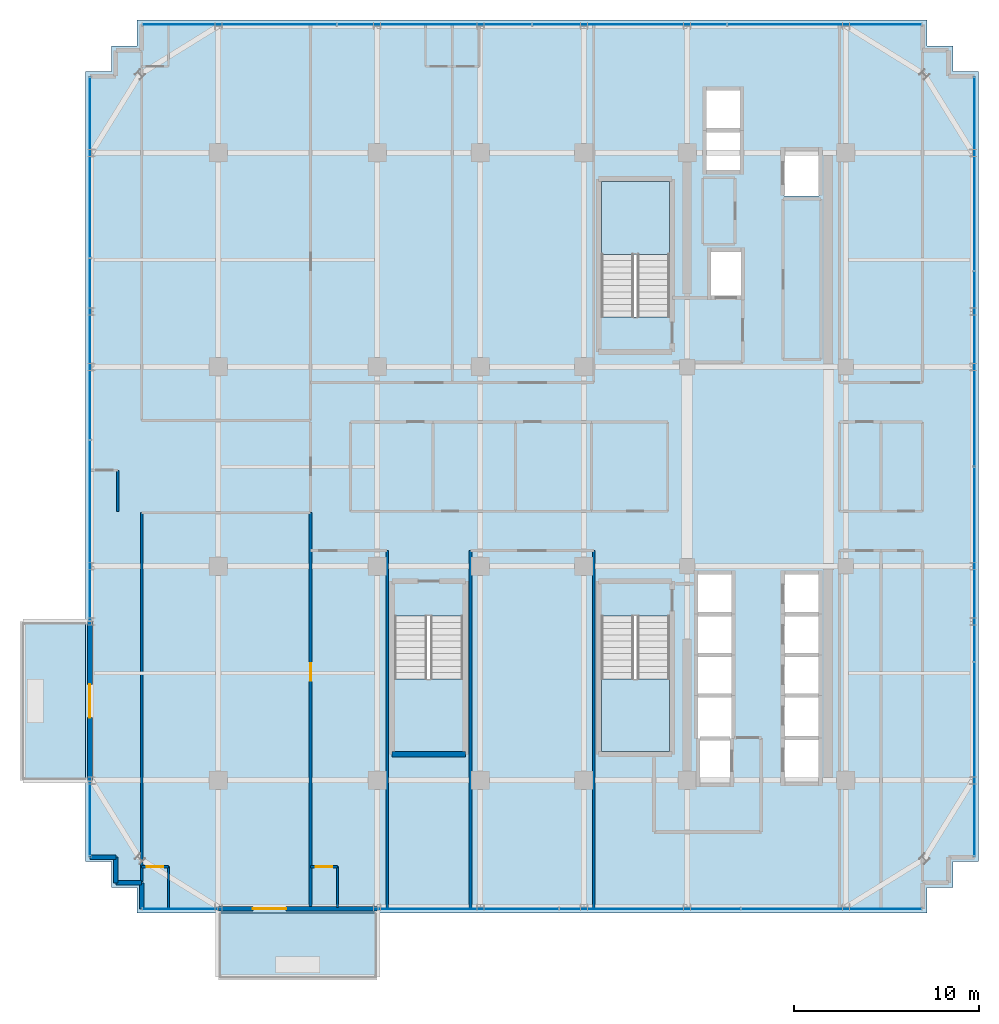
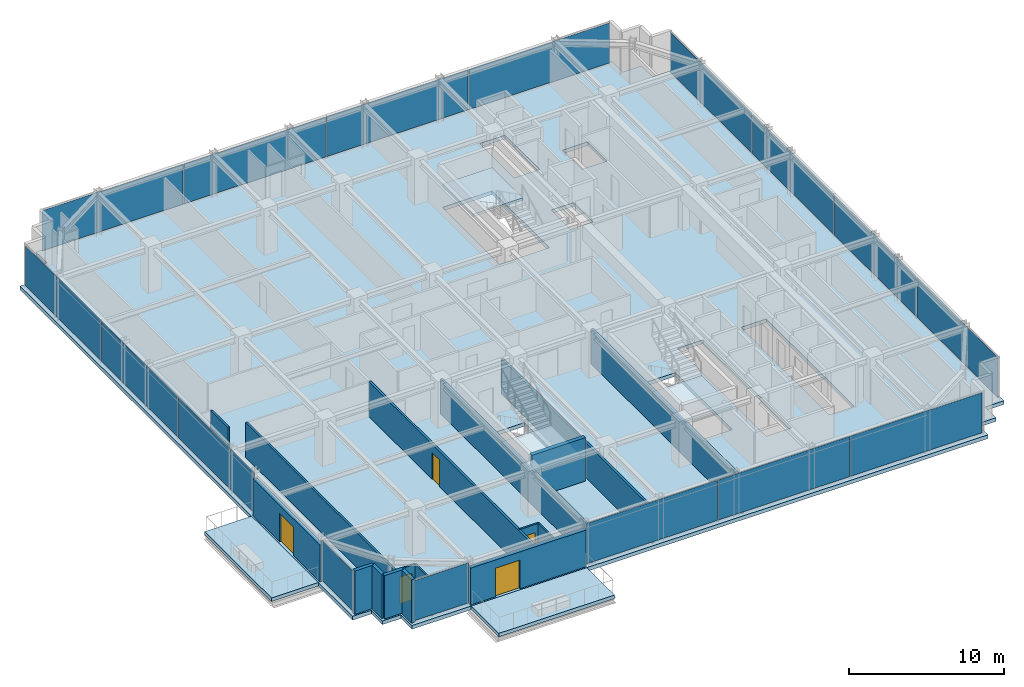
# One storey, part 28 of 35: 17 walls, 16 plates, 6 slabs, 5 doors, 5 openings, 9 elements without a shape of their own.
"""IFC4 building model written with IfcOpenShell, lengths in metres."""

from ifc_helpers import new_model, si_unit, direction, frame, frame_2d, origin, origin_2d, place, context, subcontext, project, spatial, polyline, rectangle, outline, extrude, source, transform, mapped, material, layer, layer_set, type_object, element, fill, aggregate, save


model = new_model("IFC4")

# Units and contexts
model_context = context("Model", 3, precision=1e-05, world=origin(), true_north=direction((0.0, 1.0)))
body_context = subcontext(model_context, "Body", "Model", "MODEL_VIEW")
ifc_project = project(units=[si_unit("LENGTHUNIT", "METRE"), si_unit("AREAUNIT", "SQUARE_METRE"), si_unit("VOLUMEUNIT", "CUBIC_METRE"), si_unit("PLANEANGLEUNIT", "RADIAN"), si_unit("MASSUNIT", "GRAM", prefix="KILO")], contexts=[model_context])

# Site, building, storey
site_placement = place(None, origin())
site = spatial("IfcSite", under=ifc_project, at=site_placement, CompositionType="ELEMENT")
building_placement = place(site_placement, origin())
building = spatial("IfcBuilding", under=site, at=building_placement, Name="Nahalor Promenade Grand Hotel", CompositionType="ELEMENT")
storey_placement = place(building_placement, frame((0.0, 0.0, 216.0)))
storey = spatial("IfcBuildingStorey", under=building, at=storey_placement, Name="L55", CompositionType="ELEMENT", Elevation=216.0)

# Stair, slab
ifc_material_1 = material(Name="Concrete B-50 (C40/50)", Category="concrete")
stair_type_1 = type_object("IfcStairType", Name="Stair-ST1", PredefinedType="HALF_TURN_STAIR", material=ifc_material_1)
stair_1_placement = place(storey_placement, origin())
stair_1 = element("IfcStair", 1, at=stair_1_placement, inside=storey, type_object=stair_type_1, Name="L55 ST1", PredefinedType="HALF_TURN_STAIR")
ifc_layer_1 = layer(ifc_material_1, 0.199951171875)
ifc_layer_set_1 = layer_set([ifc_layer_1], Name="Concrete B-50 (C40/50)")
slab_type_1 = type_object("IfcSlabType", Name="Landing-ST1", PredefinedType="LANDING", material=ifc_layer_set_1)
slab_1_placement = place(storey_placement, frame((0.0, 0.0, 1.64990234375)))
slab_1 = element("IfcSlab", 2, at=slab_1_placement, type_object=slab_type_1, Name="ST1 landing 1", PredefinedType="LANDING", context=body_context, shape_type="SweptSolid", body=[
    extrude(outline(polyline([(7.449951171875, 11.5), (7.449951171875, 15.449951171875), (3.75, 15.449951171875), (3.75, 11.5), (7.449951171875, 11.5)])), origin(), (0.0, 0.0, 1.0), 0.2001953125),
])
aggregate(stair_1, [slab_1])

stair_type_2 = type_object("IfcStairType", Name="Stair-ST2", PredefinedType="HALF_TURN_STAIR", material=ifc_material_1)
stair_2_placement = place(storey_placement, origin())
stair_2 = element("IfcStair", 3, at=stair_2_placement, inside=storey, type_object=stair_type_2, Name="L55 ST2", PredefinedType="HALF_TURN_STAIR")
ifc_layer_2 = layer(ifc_material_1, 0.2099609375)
ifc_layer_set_2 = layer_set([ifc_layer_2], Name="Concrete B-50 (C40/50)")
slab_type_2 = type_object("IfcSlabType", Name="Landing-ST2", PredefinedType="LANDING", material=ifc_layer_set_2)
slab_2_placement = place(storey_placement, frame((0.0, 0.0, 1.639892578125)))
slab_2 = element("IfcSlab", 4, at=slab_2_placement, type_object=slab_type_2, Name="ST2 landing 1", PredefinedType="LANDING", context=body_context, shape_type="SweptSolid", body=[
    extrude(outline(polyline([(3.75, -11.5), (3.75, -15.449951171875), (7.449951171875, -15.449951171875), (7.449951171875, -11.5), (3.75, -11.5)])), origin(), (0.0, 0.0, 1.0), 0.210205078125),
])
aggregate(stair_2, [slab_2])

stair_type_3 = type_object("IfcStairType", Name="Stair-ST3", PredefinedType="HALF_TURN_STAIR", material=ifc_material_1)
stair_3_placement = place(storey_placement, origin())
stair_3 = element("IfcStair", 5, at=stair_3_placement, inside=storey, type_object=stair_type_3, Name="L55 ST3", PredefinedType="HALF_TURN_STAIR")
ifc_layer_3 = layer(ifc_material_1, 0.219970703125)
ifc_layer_set_3 = layer_set([ifc_layer_3], Name="Concrete B-50 (C40/50)")
slab_type_3 = type_object("IfcSlabType", Name="Landing-ST3", PredefinedType="LANDING", material=ifc_layer_set_3)
slab_3_placement = place(storey_placement, frame((0.0, 0.0, 1.6298828125)))
slab_3 = element("IfcSlab", 6, at=slab_3_placement, type_object=slab_type_3, Name="ST3 landing 1", PredefinedType="LANDING", context=body_context, shape_type="SweptSolid", body=[
    extrude(outline(polyline([(-7.449951171875, -11.5), (-7.449951171875, -15.449951171875), (-3.75, -15.449951171875), (-3.75, -11.5), (-7.449951171875, -11.5)])), origin(), (0.0, 0.0, 1.0), 0.22021484375),
])
aggregate(stair_3, [slab_3])

# Slabs
ifc_layer_4 = layer(ifc_material_1, 0.280029296875)
ifc_layer_set_4 = layer_set([ifc_layer_4], Name="Concrete B-50 (C40/50)")
slab_type_4 = type_object("IfcSlabType", Name="Slab-Balcony-280", PredefinedType="FLOOR", material=ifc_layer_set_4)
slab_4_placement = place(storey_placement, frame((0.0, 0.0, -0.280029296875)))
element("IfcSlab", 7, at=slab_4_placement, inside=storey, type_object=slab_type_4, Name="L55 Cantilevered Planted Balcony 1", PredefinedType="FLOOR", context=body_context, shape_type="SweptSolid", body=[
    extrude(outline(polyline([(-17.0, -27.75), (-8.39990234375, -27.75), (-8.39990234375, -24.199951171875), (-17.0, -24.199951171875), (-17.0, -27.75)])), origin(), (0.0, 0.0, 1.0), 0.280029296875),
])
slab_5_placement = place(storey_placement, frame((0.0, 0.0, -0.280029296875)))
element("IfcSlab", 8, at=slab_5_placement, inside=storey, type_object=slab_type_4, Name="L55 Cantilevered Planted Balcony 2", PredefinedType="FLOOR", context=body_context, shape_type="SweptSolid", body=[
    extrude(outline(polyline([(-27.679931640625, -17.0), (-24.199951171875, -17.0), (-24.199951171875, -8.39990234375), (-27.679931640625, -8.39990234375), (-27.679931640625, -17.0)])), origin(), (0.0, 0.0, 1.0), 0.280029296875),
])
ifc_layer_5 = layer(ifc_material_1, 0.2900390625)
ifc_layer_set_5 = layer_set([ifc_layer_5], Name="Concrete B-50 (C40/50)")
slab_type_5 = type_object("IfcSlabType", Name="Slab-TowerZ4-290", PredefinedType="FLOOR", material=ifc_layer_set_5)
slab_6_placement = place(storey_placement, frame((0.0, 0.0, -0.2900390625)))
element("IfcSlab", 9, at=slab_6_placement, inside=storey, type_object=slab_type_5, Name="L55 Suspended Structural Floor Slab", PredefinedType="FLOOR", context=body_context, shape_type="SweptSolid", body=[
    extrude(outline(polyline([(-21.39990234375, -24.199951171875), (21.39990234375, -24.199951171875), (21.39990234375, -22.800048828125), (22.800048828125, -22.800048828125), (22.800048828125, -21.39990234375), (24.199951171875, -21.39990234375), (24.199951171875, 21.39990234375), (22.800048828125, 21.39990234375), (22.800048828125, 22.800048828125), (21.39990234375, 22.800048828125), (21.39990234375, 24.199951171875), (-21.39990234375, 24.199951171875), (-21.39990234375, 22.800048828125), (-22.800048828125, 22.800048828125), (-22.800048828125, 21.39990234375), (-24.199951171875, 21.39990234375), (-24.199951171875, -21.39990234375), (-22.800048828125, -21.39990234375), (-22.800048828125, -22.800048828125), (-21.39990234375, -22.800048828125), (-21.39990234375, -24.199951171875)]), holes=[polyline([(3.75, 8.10009765625), (7.449951171875, 8.10009765625), (7.449951171875, 15.449951171875), (3.75, 15.449951171875), (3.75, 8.10009765625)]), polyline([(3.75, -15.449951171875), (7.449951171875, -15.449951171875), (7.449951171875, -8.10009765625), (3.75, -8.10009765625), (3.75, -15.449951171875)]), polyline([(-7.449951171875, -15.449951171875), (-3.75, -15.449951171875), (-3.75, -8.10009765625), (-7.449951171875, -8.10009765625), (-7.449951171875, -15.449951171875)]), polyline([(13.659912109375, -17.139892578125), (15.5400390625, -17.139892578125), (15.5400390625, -5.81005859375), (13.659912109375, -5.81005859375), (13.659912109375, -17.139892578125)]), polyline([(8.9599609375, -17.18994140625), (10.840087890625, -17.18994140625), (10.840087890625, -5.81005859375), (8.9599609375, -5.81005859375), (8.9599609375, -17.18994140625)]), polyline([(9.409912109375, 16.010009765625), (11.2900390625, 16.010009765625), (11.2900390625, 20.43994140625), (9.409912109375, 20.43994140625), (9.409912109375, 16.010009765625)]), polyline([(9.659912109375, 9.2099609375), (11.340087890625, 9.2099609375), (11.340087890625, 11.68994140625), (9.659912109375, 11.68994140625), (9.659912109375, 9.2099609375)]), polyline([(13.659912109375, 14.659912109375), (15.5400390625, 14.659912109375), (15.5400390625, 17.139892578125), (13.659912109375, 17.139892578125), (13.659912109375, 14.659912109375)])]), origin(), (0.0, 0.0, 1.0), 0.2900390625),
])

# Curtain wall, plates
ifc_material_2 = material(Name="Anodised Bronze Aluminium EN AW-6063 T6", Category="aluminium")
curtain_wall_type = type_object("IfcCurtainWallType", Name="CW2 Typical Hotel Flush Bronze Unitised Curtain Wall", PredefinedType="USERDEFINED", material=ifc_material_2)
curtain_wall_1_placement = place(storey_placement, origin())
curtain_wall_1 = element("IfcCurtainWall", 10, at=curtain_wall_1_placement, inside=storey, type_object=curtain_wall_type, Name="L55 Curtain Wall CW-L55-N-1", ObjectType="UNITISED_CURTAIN_WALL", PredefinedType="USERDEFINED")
ifc_material_3 = material(Name="Low-E Laminated Solar Glass", Category="glass")
ifc_layer_6 = layer(ifc_material_3, 0.028076171875)
ifc_layer_set_6 = layer_set([ifc_layer_6], Name="Low-E Laminated Solar Glass")
plate_type = type_object("IfcPlateType", Name="CWP2 Bronze Low-E Vision IGU 28mm", PredefinedType="CURTAIN_PANEL", material=ifc_layer_set_6)
shared_shape_1 = source(origin(), body_context, "Body", "SweptSolid", [
    extrude(rectangle(XDim=10.482421875, YDim=0.028076171875, at=origin_2d()), origin(), (0.0, 0.0, 1.0), 3.14990234375),
])
plate_1_placement = place(storey_placement, frame((-15.853759765625, 23.9599609375, 0.130126953125), z_axis=(0.0, 0.0, 1.0), x_axis=(1.0, 0.0, 0.0)))
plate_1 = element("IfcPlate", 11, at=plate_1_placement, type_object=plate_type, Name="CW-L55-N-1 Glazing Panel 0-0", PredefinedType="CURTAIN_PANEL", context=body_context, shape_type="MappedRepresentation", body=[
    mapped(shared_shape_1, transform((0.0, 0.0, 0.0), scale=1.0)),
])
plate_2_placement = place(storey_placement, frame((15.853759765625, 23.9599609375, 0.130126953125), z_axis=(0.0, 0.0, 1.0), x_axis=(1.0, 0.0, 0.0)))
plate_2 = element("IfcPlate", 12, at=plate_2_placement, type_object=plate_type, Name="CW-L55-N-1 Glazing Panel 3-0", PredefinedType="CURTAIN_PANEL", context=body_context, shape_type="MappedRepresentation", body=[
    mapped(shared_shape_1, transform((0.0, 0.0, 0.0), scale=1.0)),
])

curtain_wall_2_placement = place(storey_placement, origin())
curtain_wall_2 = element("IfcCurtainWall", 13, at=curtain_wall_2_placement, inside=storey, type_object=curtain_wall_type, Name="L55 Curtain Wall CW-L55-E-1", ObjectType="UNITISED_CURTAIN_WALL", PredefinedType="USERDEFINED")
plate_3_placement = place(storey_placement, frame((23.9599609375, -15.853759765625, 0.130126953125), z_axis=(0.0, 0.0, 1.0), x_axis=(0.0, 1.0, 0.0)))
plate_3 = element("IfcPlate", 14, at=plate_3_placement, type_object=plate_type, Name="CW-L55-E-1 Glazing Panel 0-0", PredefinedType="CURTAIN_PANEL", context=body_context, shape_type="MappedRepresentation", body=[
    mapped(shared_shape_1, transform((0.0, 0.0, 0.0), scale=1.0)),
])
plate_4_placement = place(storey_placement, frame((23.9599609375, 15.853759765625, 0.130126953125), z_axis=(0.0, 0.0, 1.0), x_axis=(0.0, 1.0, 0.0)))
plate_4 = element("IfcPlate", 15, at=plate_4_placement, type_object=plate_type, Name="CW-L55-E-1 Glazing Panel 3-0", PredefinedType="CURTAIN_PANEL", context=body_context, shape_type="MappedRepresentation", body=[
    mapped(shared_shape_1, transform((0.0, 0.0, 0.0), scale=1.0)),
])

# Plate
shared_shape_2 = source(origin(), body_context, "Body", "SweptSolid", [
    extrude(rectangle(XDim=10.514892578125, YDim=0.028076171875, at=origin_2d()), origin(), (0.0, 0.0, 1.0), 3.14990234375),
])
plate_5_placement = place(storey_placement, frame((-5.2900390625, 23.9599609375, 0.130126953125), z_axis=(0.0, 0.0, 1.0), x_axis=(1.0, 0.0, 0.0)))
plate_5 = element("IfcPlate", 16, at=plate_5_placement, type_object=plate_type, Name="CW-L55-N-1 Glazing Panel 1-0", PredefinedType="CURTAIN_PANEL", context=body_context, shape_type="MappedRepresentation", body=[
    mapped(shared_shape_2, transform((0.0, 0.0, 0.0), scale=1.0)),
])

plate_6_placement = place(storey_placement, frame((5.2900390625, 23.9599609375, 0.130126953125), z_axis=(0.0, 0.0, 1.0), x_axis=(1.0, 0.0, 0.0)))
plate_6 = element("IfcPlate", 17, at=plate_6_placement, type_object=plate_type, Name="CW-L55-N-1 Glazing Panel 2-0", PredefinedType="CURTAIN_PANEL", context=body_context, shape_type="MappedRepresentation", body=[
    mapped(shared_shape_2, transform((0.0, 0.0, 0.0), scale=1.0)),
])

aggregate(curtain_wall_1, [plate_1, plate_5, plate_6, plate_2])

plate_7_placement = place(storey_placement, frame((23.9599609375, -5.2900390625, 0.130126953125), z_axis=(0.0, 0.0, 1.0), x_axis=(0.0, 1.0, 0.0)))
plate_7 = element("IfcPlate", 18, at=plate_7_placement, type_object=plate_type, Name="CW-L55-E-1 Glazing Panel 1-0", PredefinedType="CURTAIN_PANEL", context=body_context, shape_type="MappedRepresentation", body=[
    mapped(shared_shape_2, transform((0.0, 0.0, 0.0), scale=1.0)),
])

plate_8_placement = place(storey_placement, frame((23.9599609375, 5.2900390625, 0.130126953125), z_axis=(0.0, 0.0, 1.0), x_axis=(0.0, 1.0, 0.0)))
plate_8 = element("IfcPlate", 19, at=plate_8_placement, type_object=plate_type, Name="CW-L55-E-1 Glazing Panel 2-0", PredefinedType="CURTAIN_PANEL", context=body_context, shape_type="MappedRepresentation", body=[
    mapped(shared_shape_2, transform((0.0, 0.0, 0.0), scale=1.0)),
])

aggregate(curtain_wall_2, [plate_3, plate_7, plate_8, plate_4])

# Curtain wall, plate
curtain_wall_3_placement = place(storey_placement, origin())
curtain_wall_3 = element("IfcCurtainWall", 20, at=curtain_wall_3_placement, inside=storey, type_object=curtain_wall_type, Name="L55 Curtain Wall CW-L55-S-1", ObjectType="UNITISED_CURTAIN_WALL", PredefinedType="USERDEFINED")
shared_shape_3 = source(origin(), body_context, "Body", "SweptSolid", [
    extrude(rectangle(XDim=4.030029296875, YDim=0.028076171875, at=origin_2d()), origin(), (0.0, 0.0, 1.0), 3.14990234375),
])
plate_9_placement = place(storey_placement, frame((-19.080078125, -23.9599609375, 0.130126953125), z_axis=(0.0, 0.0, 1.0), x_axis=(1.0, 0.0, 0.0)))
plate_9 = element("IfcPlate", 21, at=plate_9_placement, type_object=plate_type, Name="CW-L55-S-1 Glazing Panel 0-0", PredefinedType="CURTAIN_PANEL", context=body_context, shape_type="MappedRepresentation", body=[
    mapped(shared_shape_3, transform((0.0, 0.0, 0.0), scale=1.0)),
])
aggregate(curtain_wall_3, [plate_9])

curtain_wall_4_placement = place(storey_placement, origin())
curtain_wall_4 = element("IfcCurtainWall", 22, at=curtain_wall_4_placement, inside=storey, type_object=curtain_wall_type, Name="L55 Curtain Wall CW-L55-W-1", ObjectType="UNITISED_CURTAIN_WALL", PredefinedType="USERDEFINED")
plate_10_placement = place(storey_placement, frame((-23.9599609375, -19.080078125, 0.130126953125), z_axis=(0.0, 0.0, 1.0), x_axis=(0.0, 1.0, 0.0)))
plate_10 = element("IfcPlate", 23, at=plate_10_placement, type_object=plate_type, Name="CW-L55-W-1 Glazing Panel 0-0", PredefinedType="CURTAIN_PANEL", context=body_context, shape_type="MappedRepresentation", body=[
    mapped(shared_shape_3, transform((0.0, 0.0, 0.0), scale=1.0)),
])
aggregate(curtain_wall_4, [plate_10])

# Curtain wall, plates
curtain_wall_5_placement = place(storey_placement, origin())
curtain_wall_5 = element("IfcCurtainWall", 24, at=curtain_wall_5_placement, inside=storey, type_object=curtain_wall_type, Name="L55 Curtain Wall CW-L55-S-3", ObjectType="UNITISED_CURTAIN_WALL", PredefinedType="USERDEFINED")
shared_shape_4 = source(origin(), body_context, "Body", "SweptSolid", [
    extrude(rectangle(XDim=9.755859375, YDim=0.028076171875, at=origin_2d()), origin(), (0.0, 0.0, 1.0), 3.14990234375),
])
plate_11_placement = place(storey_placement, frame((-3.45703125, -23.9599609375, 0.130126953125), z_axis=(0.0, 0.0, 1.0), x_axis=(1.0, 0.0, 0.0)))
plate_11 = element("IfcPlate", 25, at=plate_11_placement, type_object=plate_type, Name="CW-L55-S-3 Glazing Panel 0-0", PredefinedType="CURTAIN_PANEL", context=body_context, shape_type="MappedRepresentation", body=[
    mapped(shared_shape_4, transform((0.0, 0.0, 0.0), scale=1.0)),
])
plate_12_placement = place(storey_placement, frame((16.217041015625, -23.9599609375, 0.130126953125), z_axis=(0.0, 0.0, 1.0), x_axis=(1.0, 0.0, 0.0)))
plate_12 = element("IfcPlate", 26, at=plate_12_placement, type_object=plate_type, Name="CW-L55-S-3 Glazing Panel 2-0", PredefinedType="CURTAIN_PANEL", context=body_context, shape_type="MappedRepresentation", body=[
    mapped(shared_shape_4, transform((0.0, 0.0, 0.0), scale=1.0)),
])

curtain_wall_6_placement = place(storey_placement, origin())
curtain_wall_6 = element("IfcCurtainWall", 27, at=curtain_wall_6_placement, inside=storey, type_object=curtain_wall_type, Name="L55 Curtain Wall CW-L55-W-3", ObjectType="UNITISED_CURTAIN_WALL", PredefinedType="USERDEFINED")
plate_13_placement = place(storey_placement, frame((-23.9599609375, -3.45703125, 0.130126953125), z_axis=(0.0, 0.0, 1.0), x_axis=(0.0, 1.0, 0.0)))
plate_13 = element("IfcPlate", 28, at=plate_13_placement, type_object=plate_type, Name="CW-L55-W-3 Glazing Panel 0-0", PredefinedType="CURTAIN_PANEL", context=body_context, shape_type="MappedRepresentation", body=[
    mapped(shared_shape_4, transform((0.0, 0.0, 0.0), scale=1.0)),
])
plate_14_placement = place(storey_placement, frame((-23.9599609375, 16.217041015625, 0.130126953125), z_axis=(0.0, 0.0, 1.0), x_axis=(0.0, 1.0, 0.0)))
plate_14 = element("IfcPlate", 29, at=plate_14_placement, type_object=plate_type, Name="CW-L55-W-3 Glazing Panel 2-0", PredefinedType="CURTAIN_PANEL", context=body_context, shape_type="MappedRepresentation", body=[
    mapped(shared_shape_4, transform((0.0, 0.0, 0.0), scale=1.0)),
])

# Plate
shared_shape_5 = source(origin(), body_context, "Body", "SweptSolid", [
    extrude(rectangle(XDim=9.788330078125, YDim=0.028076171875, at=origin_2d()), origin(), (0.0, 0.0, 1.0), 3.14990234375),
])
plate_15_placement = place(storey_placement, frame((6.3798828125, -23.9599609375, 0.130126953125), z_axis=(0.0, 0.0, 1.0), x_axis=(1.0, 0.0, 0.0)))
plate_15 = element("IfcPlate", 30, at=plate_15_placement, type_object=plate_type, Name="CW-L55-S-3 Glazing Panel 1-0", PredefinedType="CURTAIN_PANEL", context=body_context, shape_type="MappedRepresentation", body=[
    mapped(shared_shape_5, transform((0.0, 0.0, 0.0), scale=1.0)),
])

aggregate(curtain_wall_5, [plate_11, plate_15, plate_12])

plate_16_placement = place(storey_placement, frame((-23.9599609375, 6.3798828125, 0.130126953125), z_axis=(0.0, 0.0, 1.0), x_axis=(0.0, 1.0, 0.0)))
plate_16 = element("IfcPlate", 31, at=plate_16_placement, type_object=plate_type, Name="CW-L55-W-3 Glazing Panel 1-0", PredefinedType="CURTAIN_PANEL", context=body_context, shape_type="MappedRepresentation", body=[
    mapped(shared_shape_5, transform((0.0, 0.0, 0.0), scale=1.0)),
])

aggregate(curtain_wall_6, [plate_13, plate_16, plate_14])

# Walls
ifc_layer_7 = layer(ifc_material_1, 0.300048828125)
ifc_layer_set_7 = layer_set([ifc_layer_7], Name="Concrete B-50 (C40/50)")
wall_type_1 = type_object("IfcWallType", Name="Wall-ShaftShear-300", PredefinedType="SHEAR", material=ifc_layer_set_7)
shared_shape_6 = source(origin(), body_context, "Body", "SweptSolid", [
    extrude(rectangle(XDim=3.97998046875, YDim=0.300048828125, at=frame_2d((1.989990234375, 0.0))), origin(), (0.0, 0.0, 1.0), 3.409912109375),
])
wall_1_placement = place(storey_placement, frame((-7.590087890625, -15.590087890625, 0.0), z_axis=(0.0, 0.0, 1.0), x_axis=(1.0, 0.0, 0.0)))
element("IfcWall", 32, at=wall_1_placement, inside=storey, type_object=wall_type_1, Name="L55 Exit Stair ST3 Shaft Wall S", PredefinedType="SHEAR", context=body_context, shape_type="MappedRepresentation", body=[
    mapped(shared_shape_6, transform((0.0, 0.0, 0.0), scale=1.0)),
])
ifc_material_4 = material(Name="Concrete B-40 (C32/40)", Category="concrete")
ifc_layer_8 = layer(ifc_material_4, 0.25)
ifc_layer_set_8 = layer_set([ifc_layer_8], Name="Concrete B-40 (C32/40)")
wall_type_2 = type_object("IfcWallType", Name="Wall-BronzePier-250", PredefinedType="STANDARD", material=ifc_layer_set_8)
shared_shape_7 = source(origin(), body_context, "Body", "SweptSolid", [
    extrude(rectangle(XDim=1.39990234375, YDim=0.25, at=frame_2d((0.699951171875, 0.0))), origin(), (0.0, 0.0, 1.0), 3.409912109375),
])
for number, where, z_axis, x_axis, name in (
    (33, (-23.9599609375, -21.159912109375, 0.0), (0.0, 0.0, 1.0), (1.0, 0.0, 0.0), "W-L55-SR-13"),
    (34, (-21.159912109375, -23.9599609375, 0.0), (0.0, 0.0, 1.0), (0.0, 1.0, 0.0), "W-L55-SR-16"),
):
    element("IfcWall", number, at=place(storey_placement, frame(where, z_axis=z_axis, x_axis=x_axis)), inside=storey, type_object=wall_type_2, Name=name, PredefinedType="STANDARD", context=body_context, shape_type="MappedRepresentation", body=[
        mapped(shared_shape_7, transform((0.0, 0.0, 0.0), scale=1.0)),
    ])
shared_shape_8 = source(origin(), body_context, "Body", "SweptSolid", [
    extrude(rectangle(XDim=1.400146484375, YDim=0.25, at=frame_2d((0.7001953125, 0.0))), origin(), (0.0, 0.0, 1.0), 3.409912109375),
])
for number, where, z_axis, x_axis, name in (
    (35, (-22.56005859375, -22.56005859375, 0.0), (0.0, 0.0, 1.0), (0.0, 1.0, 0.0), "W-L55-SR-14"),
    (36, (-22.56005859375, -22.56005859375, 0.0), (0.0, 0.0, 1.0), (1.0, 0.0, 0.0), "W-L55-SR-15"),
):
    element("IfcWall", number, at=place(storey_placement, frame(where, z_axis=z_axis, x_axis=x_axis)), inside=storey, type_object=wall_type_2, Name=name, PredefinedType="STANDARD", context=body_context, shape_type="MappedRepresentation", body=[
        mapped(shared_shape_8, transform((0.0, 0.0, 0.0), scale=1.0)),
    ])

# Wall, opening, door
ifc_layer_9 = layer(ifc_material_4, 0.260009765625)
ifc_layer_set_9 = layer_set([ifc_layer_9], Name="Concrete B-40 (C32/40)")
wall_type_3 = type_object("IfcWallType", Name="Wall-BalconyWall-260", PredefinedType="STANDARD", material=ifc_layer_set_9)
shared_shape_9 = source(origin(), body_context, "Body", "SweptSolid", [
    extrude(rectangle(XDim=8.60009765625, YDim=0.260009765625, at=frame_2d((4.300048828125, 0.0))), origin(), (0.0, 0.0, 1.0), 2.889892578125),
])
wall_2_placement = place(storey_placement, frame((-17.0, -23.9599609375, 0.0), z_axis=(0.0, 0.0, 1.0), x_axis=(1.0, 0.0, 0.0)))
wall_2 = element("IfcWall", 37, at=wall_2_placement, inside=storey, type_object=wall_type_3, Name="W-L55-BALC-S-2", PredefinedType="STANDARD", context=body_context, shape_type="MappedRepresentation", body=[
    mapped(shared_shape_9, transform((0.0, 0.0, 0.0), scale=1.0)),
])
opening_1_placement = place(wall_2_placement, frame((1.875, 0.0, 0.0)))
opening_1 = element("IfcOpeningElement", 38, at=opening_1_placement, cuts=wall_2, Name="Opening D-BC1", PredefinedType="OPENING", context=body_context, shape_type="SweptSolid", body=[
    extrude(rectangle(XDim=1.800048828125, YDim=2.25, at=frame_2d((0.89990234375, 1.125))), frame((0.0, 0.139892578125, 0.0), z_axis=(0.0, -1.0, 0.0), x_axis=(1.0, 0.0, 0.0)), (0.0, 0.0, 1.0), 0.280029296875),
])
door_type_1 = type_object("IfcDoorType", Name="Door-BalconySlide-1800", OperationType="DOUBLE_DOOR_SLIDING", PredefinedType="DOOR", material=ifc_material_2)
shared_shape_10 = source(origin(), body_context, "Body", "SweptSolid", [
    extrude(rectangle(XDim=1.800048828125, YDim=2.25, at=frame_2d((0.89990234375, 1.125))), frame((0.0, 0.02490234375, 0.0), z_axis=(0.0, -1.0, 0.0), x_axis=(1.0, 0.0, 0.0)), (0.0, 0.0, 1.0), 0.050048828125),
])
door_1_placement = place(opening_1_placement, frame((1.800048828125, 0.0, 0.0), z_axis=(0.0, 0.0, 1.0), x_axis=(-1.0, 0.0, 0.0)))
door_1 = element("IfcDoor", 39, at=door_1_placement, inside=storey, type_object=door_type_1, Name="DR-L55-BALC-S-2", OperationType="DOUBLE_DOOR_SLIDING", OverallHeight=2.25, OverallWidth=1.800048828125, PredefinedType="DOOR", context=body_context, shape_type="MappedRepresentation", body=[
    mapped(shared_shape_10, transform((0.0, 0.0, 0.0), scale=1.0)),
])
fill(opening_1, door_1)

wall_3_placement = place(storey_placement, frame((-23.9599609375, -17.0, 0.0), z_axis=(0.0, 0.0, 1.0), x_axis=(0.0, 1.0, 0.0)))
wall_3 = element("IfcWall", 40, at=wall_3_placement, inside=storey, type_object=wall_type_3, Name="W-L55-BALC-W-2", PredefinedType="STANDARD", context=body_context, shape_type="MappedRepresentation", body=[
    mapped(shared_shape_9, transform((0.0, 0.0, 0.0), scale=1.0)),
])
opening_2_placement = place(wall_3_placement, frame((3.39990234375, 0.0, 0.0)))
opening_2 = element("IfcOpeningElement", 41, at=opening_2_placement, cuts=wall_3, Name="Opening D-BC1", PredefinedType="OPENING", context=body_context, shape_type="SweptSolid", body=[
    extrude(rectangle(XDim=1.800048828125, YDim=2.25, at=frame_2d((0.89990234375, 1.125))), frame((0.0, 0.139892578125, 0.0), z_axis=(0.0, -1.0, 0.0), x_axis=(1.0, 0.0, 0.0)), (0.0, 0.0, 1.0), 0.280029296875),
])
door_2_placement = place(opening_2_placement, origin())
door_2 = element("IfcDoor", 42, at=door_2_placement, inside=storey, type_object=door_type_1, Name="DR-L55-BALC-W-2", OperationType="DOUBLE_DOOR_SLIDING", OverallHeight=2.25, OverallWidth=1.800048828125, PredefinedType="DOOR", context=body_context, shape_type="MappedRepresentation", body=[
    mapped(shared_shape_10, transform((0.0, 0.0, 0.0), scale=1.0)),
])
fill(opening_2, door_2)

# Walls
ifc_material_5 = material(Name="Acoustic Mineral Gypsum", Category="gypsum")
ifc_layer_10 = layer(ifc_material_5, 0.159912109375)
ifc_layer_set_10 = layer_set([ifc_layer_10], Name="Acoustic Mineral Gypsum")
wall_type_4 = type_object("IfcWallType", Name="Wall-PartCorridor-160", PredefinedType="PARTITIONING", material=ifc_layer_set_10)
shared_shape_11 = source(origin(), body_context, "Body", "SweptSolid", [
    extrude(rectangle(XDim=19.349853515625, YDim=0.159912109375, at=frame_2d((9.6748046875, 0.0))), origin(), (0.0, 0.0, 1.0), 2.75),
])
for number, where, z_axis, x_axis, name in (
    (43, (-3.340087890625, -23.89990234375, 0.0), (0.0, 0.0, 1.0), (0.0, 1.0, 0.0), "W-L55-SCB-W"),
    (44, (3.340087890625, -23.89990234375, 0.0), (0.0, 0.0, 1.0), (0.0, 1.0, 0.0), "W-L55-SCB-E"),
):
    element("IfcWall", number, at=place(storey_placement, frame(where, z_axis=z_axis, x_axis=x_axis)), inside=storey, type_object=wall_type_4, Name=name, PredefinedType="PARTITIONING", context=body_context, shape_type="MappedRepresentation", body=[
        mapped(shared_shape_11, transform((0.0, 0.0, 0.0), scale=1.0)),
    ])

# Wall, opening, door
shared_shape_12 = source(origin(), body_context, "Body", "SweptSolid", [
    extrude(rectangle(XDim=21.39990234375, YDim=0.159912109375, at=frame_2d((10.699951171875, 0.0))), origin(), (0.0, 0.0, 1.0), 2.75),
])
wall_4_placement = place(storey_placement, frame((-12.0, -23.89990234375, 0.0), z_axis=(0.0, 0.0, 1.0), x_axis=(0.0, 1.0, 0.0)))
wall_4 = element("IfcWall", 45, at=wall_4_placement, inside=storey, type_object=wall_type_4, Name="W-L55-ZSW-E", PredefinedType="PARTITIONING", context=body_context, shape_type="MappedRepresentation", body=[
    mapped(shared_shape_12, transform((0.0, 0.0, 0.0), scale=1.0)),
])
opening_3_placement = place(wall_4_placement, frame((12.300048828125, 0.0, 0.0)))
opening_3 = element("IfcOpeningElement", 46, at=opening_3_placement, cuts=wall_4, Name="Opening D-01", PredefinedType="OPENING", context=body_context, shape_type="SweptSolid", body=[
    extrude(rectangle(XDim=0.949951171875, YDim=2.10009765625, at=frame_2d((0.47509765625, 1.050048828125))), frame((0.0, 0.08984375, 0.0), z_axis=(0.0, -1.0, 0.0), x_axis=(1.0, 0.0, 0.0)), (0.0, 0.0, 1.0), 0.179931640625),
])
ifc_material_6 = material(Name="Fire-Rated Timber Composite", Category="wood")
door_type_2 = type_object("IfcDoorType", Name="Door-GuestEntry-950", OperationType="NOTDEFINED", PredefinedType="DOOR", material=ifc_material_6)
shared_shape_13 = source(origin(), body_context, "Body", "SweptSolid", [
    extrude(rectangle(XDim=0.949951171875, YDim=2.10009765625, at=frame_2d((0.47509765625, 1.050048828125))), frame((0.0, 0.02490234375, 0.0), z_axis=(0.0, -1.0, 0.0), x_axis=(1.0, 0.0, 0.0)), (0.0, 0.0, 1.0), 0.050048828125),
])
door_3_placement = place(opening_3_placement, origin())
door_3 = element("IfcDoor", 47, at=door_3_placement, inside=storey, type_object=door_type_2, Name="DR-L55-SW0-ENT", OperationType="SINGLE_SWING_RIGHT", OverallHeight=2.10009765625, OverallWidth=0.949951171875, PredefinedType="DOOR", context=body_context, shape_type="MappedRepresentation", body=[
    mapped(shared_shape_13, transform((0.0, 0.0, 0.0), scale=1.0)),
])
fill(opening_3, door_3)

# Wall
ifc_layer_11 = layer(ifc_material_5, 0.139892578125)
ifc_layer_set_11 = layer_set([ifc_layer_11], Name="Acoustic Mineral Gypsum")
wall_type_5 = type_object("IfcWallType", Name="Wall-PartSuite-140", PredefinedType="PARTITIONING", material=ifc_layer_set_11)
shared_shape_14 = source(origin(), body_context, "Body", "SweptSolid", [
    extrude(rectangle(XDim=19.97998046875, YDim=0.139892578125, at=frame_2d((9.989990234375, 0.0))), origin(), (0.0, 0.0, 1.0), 2.75),
])
wall_5_placement = place(storey_placement, frame((-21.159912109375, -22.47998046875, 0.0), z_axis=(0.0, 0.0, 1.0), x_axis=(0.0, 1.0, 0.0)))
element("IfcWall", 48, at=wall_5_placement, inside=storey, type_object=wall_type_5, Name="W-L55-ZSW-W", PredefinedType="PARTITIONING", context=body_context, shape_type="MappedRepresentation", body=[
    mapped(shared_shape_14, transform((0.0, 0.0, 0.0), scale=1.0)),
])

# Wall, opening, door
ifc_layer_12 = layer(ifc_material_5, 0.1201171875)
ifc_layer_set_12 = layer_set([ifc_layer_12], Name="Acoustic Mineral Gypsum")
wall_type_6 = type_object("IfcWallType", Name="Wall-PartBath-120", PredefinedType="PARTITIONING", material=ifc_layer_set_12)
shared_shape_15 = source(origin(), body_context, "Body", "SweptSolid", [
    extrude(rectangle(XDim=1.449951171875, YDim=0.1201171875, at=frame_2d((0.72509765625, 0.0))), origin(), (0.0, 0.0, 1.0), 2.75),
])
wall_6_placement = place(storey_placement, frame((-21.159912109375, -21.679931640625, 0.0), z_axis=(0.0, 0.0, 1.0), x_axis=(1.0, 0.0, 0.0)))
wall_6 = element("IfcWall", 49, at=wall_6_placement, inside=storey, type_object=wall_type_6, Name="W-L55-SW0-BH", PredefinedType="PARTITIONING", context=body_context, shape_type="MappedRepresentation", body=[
    mapped(shared_shape_15, transform((0.0, 0.0, 0.0), scale=1.0)),
])
opening_4_placement = place(wall_6_placement, frame((0.284912109375, 0.0, 0.0)))
opening_4 = element("IfcOpeningElement", 50, at=opening_4_placement, cuts=wall_6, Name="Opening D-03", PredefinedType="OPENING", context=body_context, shape_type="SweptSolid", body=[
    extrude(rectangle(XDim=0.8798828125, YDim=2.10009765625, at=frame_2d((0.43994140625, 1.050048828125))), frame((0.0, 0.070068359375, 0.0), z_axis=(0.0, -1.0, 0.0), x_axis=(1.0, 0.0, 0.0)), (0.0, 0.0, 1.0), 0.14013671875),
])
door_type_3 = type_object("IfcDoorType", Name="Door-BathSwing-880", OperationType="NOTDEFINED", PredefinedType="DOOR", material=ifc_material_6)
shared_shape_16 = source(origin(), body_context, "Body", "SweptSolid", [
    extrude(rectangle(XDim=0.8798828125, YDim=2.10009765625, at=frame_2d((0.43994140625, 1.050048828125))), frame((0.0, 0.02490234375, 0.0), z_axis=(0.0, -1.0, 0.0), x_axis=(1.0, 0.0, 0.0)), (0.0, 0.0, 1.0), 0.050048828125),
])
door_4_placement = place(opening_4_placement, frame((0.8798828125, 0.0, 0.0), z_axis=(0.0, 0.0, 1.0), x_axis=(-1.0, 0.0, 0.0)))
door_4 = element("IfcDoor", 51, at=door_4_placement, inside=storey, type_object=door_type_3, Name="DR-L55-SW0-BATH", OperationType="SINGLE_SWING_LEFT", OverallHeight=2.10009765625, OverallWidth=0.8798828125, PredefinedType="DOOR", context=body_context, shape_type="MappedRepresentation", body=[
    mapped(shared_shape_16, transform((0.0, 0.0, 0.0), scale=1.0)),
])
fill(opening_4, door_4)

wall_7_placement = place(storey_placement, frame((-12.0, -21.679931640625, 0.0), z_axis=(0.0, 0.0, 1.0), x_axis=(1.0, 0.0, 0.0)))
wall_7 = element("IfcWall", 52, at=wall_7_placement, inside=storey, type_object=wall_type_6, Name="W-L55-S1-BH", PredefinedType="PARTITIONING", context=body_context, shape_type="MappedRepresentation", body=[
    mapped(shared_shape_15, transform((0.0, 0.0, 0.0), scale=1.0)),
])
opening_5_placement = place(wall_7_placement, frame((0.284912109375, 0.0, 0.0)))
opening_5 = element("IfcOpeningElement", 53, at=opening_5_placement, cuts=wall_7, Name="Opening D-03", PredefinedType="OPENING", context=body_context, shape_type="SweptSolid", body=[
    extrude(rectangle(XDim=0.8798828125, YDim=2.10009765625, at=frame_2d((0.43994140625, 1.050048828125))), frame((0.0, 0.070068359375, 0.0), z_axis=(0.0, -1.0, 0.0), x_axis=(1.0, 0.0, 0.0)), (0.0, 0.0, 1.0), 0.14013671875),
])
door_5_placement = place(opening_5_placement, frame((0.8798828125, 0.0, 0.0), z_axis=(0.0, 0.0, 1.0), x_axis=(-1.0, 0.0, 0.0)))
door_5 = element("IfcDoor", 54, at=door_5_placement, inside=storey, type_object=door_type_3, Name="DR-L55-S1-BATH", OperationType="SINGLE_SWING_LEFT", OverallHeight=2.10009765625, OverallWidth=0.8798828125, PredefinedType="DOOR", context=body_context, shape_type="MappedRepresentation", body=[
    mapped(shared_shape_16, transform((0.0, 0.0, 0.0), scale=1.0)),
])
fill(opening_5, door_5)

# Walls
shared_shape_17 = source(origin(), body_context, "Body", "SweptSolid", [
    extrude(rectangle(XDim=2.219970703125, YDim=0.1201171875, at=frame_2d((1.10986328125, 0.0))), origin(), (0.0, 0.0, 1.0), 2.75),
])
for number, where, z_axis, x_axis, name in (
    (55, (-19.7099609375, -23.89990234375, 0.0), (0.0, 0.0, 1.0), (0.0, 1.0, 0.0), "W-L55-SW0-BV"),
    (56, (-10.550048828125, -23.89990234375, 0.0), (0.0, 0.0, 1.0), (0.0, 1.0, 0.0), "W-L55-S1-BV"),
    (57, (-22.449951171875, -2.419921875, 0.0), (0.0, 0.0, 1.0), (0.0, 1.0, 0.0), "W-L55-W1-BV"),
):
    element("IfcWall", number, at=place(storey_placement, frame(where, z_axis=z_axis, x_axis=x_axis)), inside=storey, type_object=wall_type_6, Name=name, PredefinedType="PARTITIONING", context=body_context, shape_type="MappedRepresentation", body=[
        mapped(shared_shape_17, transform((0.0, 0.0, 0.0), scale=1.0)),
    ])
shared_shape_18 = source(origin(), body_context, "Body", "SweptSolid", [
    extrude(rectangle(XDim=19.349853515625, YDim=0.139892578125, at=frame_2d((9.6748046875, 0.0))), origin(), (0.0, 0.0, 1.0), 2.75),
])
wall_8_placement = place(storey_placement, frame((-7.860107421875, -23.89990234375, 0.0), z_axis=(0.0, 0.0, 1.0), x_axis=(0.0, 1.0, 0.0)))
element("IfcWall", 58, at=wall_8_placement, inside=storey, type_object=wall_type_5, Name="W-L55-SW-ENDE", PredefinedType="PARTITIONING", context=body_context, shape_type="MappedRepresentation", body=[
    mapped(shared_shape_18, transform((0.0, 0.0, 0.0), scale=1.0)),
])

save(model, "model.ifc")
